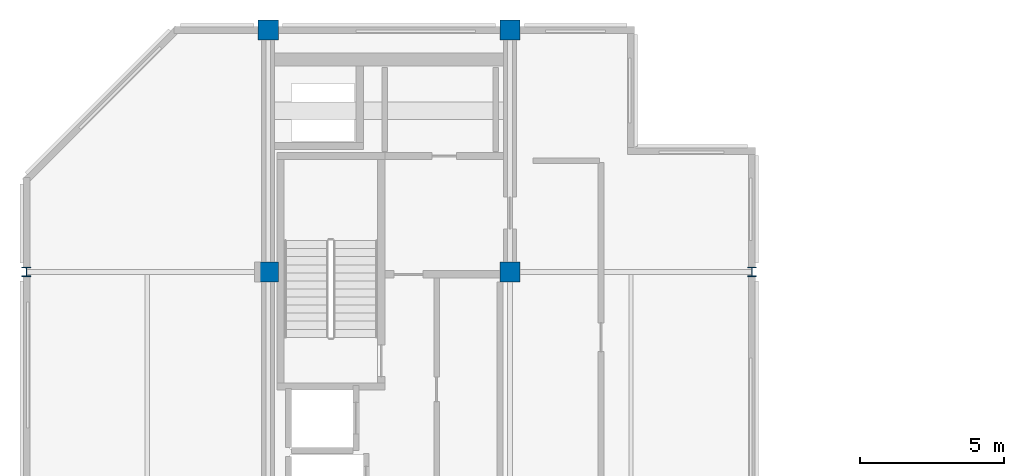
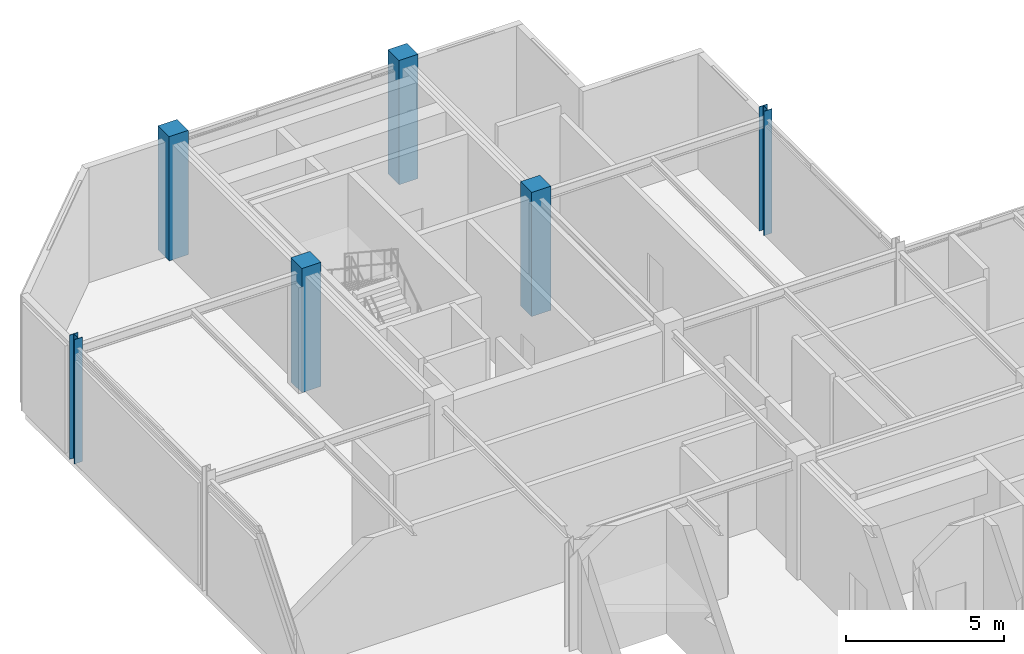
# One storey, part 2 of 9: 6 columns.
"""IFC4 building model written with IfcOpenShell, lengths in metres."""

from ifc_helpers import new_model, si_unit, direction, frame, origin, origin_2d, place, context, subcontext, project, spatial, rectangle, i_section, extrude, material, material_profile, profile_set, type_object, element, save


model = new_model("IFC4")

# Units and contexts
model_context = context("Model", 3, precision=1e-05, world=origin(), true_north=direction((0.0, 1.0)))
body_context = subcontext(model_context, "Body", "Model", "MODEL_VIEW")
ifc_project = project(units=[si_unit("LENGTHUNIT", "METRE"), si_unit("AREAUNIT", "SQUARE_METRE"), si_unit("VOLUMEUNIT", "CUBIC_METRE"), si_unit("PLANEANGLEUNIT", "RADIAN"), si_unit("MASSUNIT", "GRAM", prefix="KILO")], contexts=[model_context])

# Site, building, storey
site_placement = place(None, origin())
site = spatial("IfcSite", under=ifc_project, at=site_placement, CompositionType="ELEMENT")
building_placement = place(site_placement, origin())
building = spatial("IfcBuilding", under=site, at=building_placement, Name="Nerrivon Quay Data Exchange", CompositionType="ELEMENT")
storey_placement = place(building_placement, frame((0.0, 0.0, 322.199951171875)))
storey = spatial("IfcBuildingStorey", under=building, at=storey_placement, Name="L77", CompositionType="ELEMENT", Elevation=322.199951171875)

# Columns
ifc_material_1 = material(Name="Concrete N50 (50 MPa)", Category="concrete")
ifc_material_profile_1 = material_profile(ifc_material_1, rectangle(XDim=0.699951171875, YDim=0.699951171875, at=origin_2d()), Name="RC-COL-700x700")
ifc_profile_set_1 = profile_set([ifc_material_profile_1], Name="Concrete N50 (50 MPa)")
column_type_1 = type_object("IfcColumnType", Name="COL-C6-700", PredefinedType="COLUMN", material=ifc_profile_set_1)
for number, where, z_axis, x_axis, name in (
    (1, (8.39990234375, 33.60009765625, 0.0), (0.0, 0.0, 1.0), (1.0, 0.0, 0.0), "L77 Column (8.4,33.6)"),
    (2, (8.39990234375, 42.0, 0.0), (0.0, 0.0, 1.0), (1.0, 0.0, 0.0), "L77 Column (8.4,42.0)"),
    (3, (16.800048828125, 33.60009765625, 0.0), (0.0, 0.0, 1.0), (1.0, 0.0, 0.0), "L77 Column (16.8,33.6)"),
    (4, (16.800048828125, 42.0, 0.0), (0.0, 0.0, 1.0), (1.0, 0.0, 0.0), "L77 Column (16.8,42.0)"),
):
    element("IfcColumn", number, at=place(storey_placement, frame(where, z_axis=z_axis, x_axis=x_axis)), inside=storey, type_object=column_type_1, Name=name, PredefinedType="COLUMN", context=body_context, shape_type="SweptSolid", body=[
        extrude(rectangle(XDim=0.699951171875, YDim=0.699951171875, at=origin_2d()), origin(), (0.0, 0.0, 1.0), 4.800048828125),
    ])
ifc_material_2 = material(Name="Steel Grade 350", Category="steel")
ifc_material_profile_2 = material_profile(ifc_material_2, i_section(OverallWidth=0.306884765625, OverallDepth=0.31494140625, WebThickness=0.011962890625, FlangeThickness=0.018798828125, FilletRadius=0.0166015625, at=origin_2d()), Name="310UC118")
ifc_profile_set_2 = profile_set([ifc_material_profile_2], Name="Steel Grade 350")
column_type_2 = type_object("IfcColumnType", Name="COL-SC5-310UC118", PredefinedType="COLUMN", material=ifc_profile_set_2)
for number, where, z_axis, x_axis, name in (
    (5, (0.0, 33.60009765625, 0.0), (0.0, 0.0, 1.0), (1.0, 0.0, 0.0), "L77 Column (0.0,33.6)"),
    (6, (25.199951171875, 33.60009765625, 0.0), (0.0, 0.0, 1.0), (1.0, 0.0, 0.0), "L77 Column (25.2,33.6)"),
):
    element("IfcColumn", number, at=place(storey_placement, frame(where, z_axis=z_axis, x_axis=x_axis)), inside=storey, type_object=column_type_2, Name=name, PredefinedType="COLUMN", context=body_context, shape_type="SweptSolid", body=[
        extrude(i_section(OverallWidth=0.306884765625, OverallDepth=0.31494140625, WebThickness=0.011962890625, FlangeThickness=0.018798828125, FilletRadius=0.0166015625, at=origin_2d()), origin(), (0.0, 0.0, 1.0), 4.800048828125),
    ])

save(model, "model.ifc")
